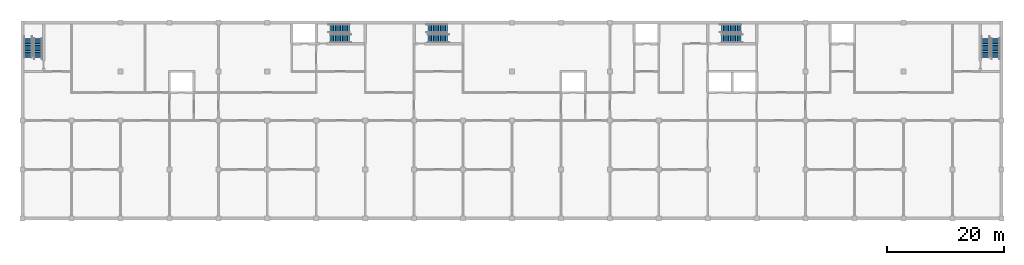
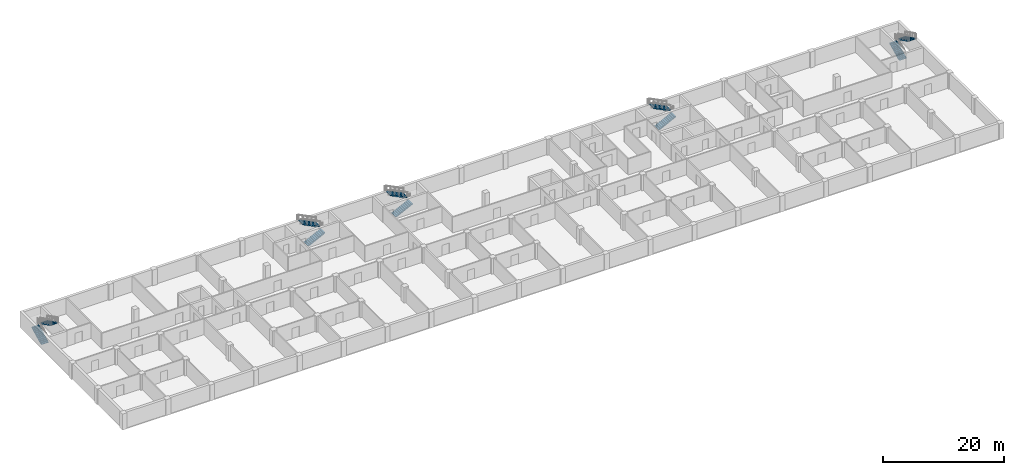
# One storey, part 7 of 12: 10 stair flights, 5 elements without a shape of their own.
"""IFC4 building model written with IfcOpenShell, lengths in metres."""

from ifc_helpers import new_model, si_unit, direction, frame, origin, place, context, subcontext, project, spatial, polyline, outline, extrude, material, type_object, element, aggregate, save


model = new_model("IFC4")

# Units and contexts
model_context = context("Model", 3, precision=1e-05, world=origin(), true_north=direction((0.0, 1.0)))
body_context = subcontext(model_context, "Body", "Model", "MODEL_VIEW")
ifc_project = project(units=[si_unit("LENGTHUNIT", "METRE"), si_unit("AREAUNIT", "SQUARE_METRE"), si_unit("VOLUMEUNIT", "CUBIC_METRE"), si_unit("PLANEANGLEUNIT", "RADIAN"), si_unit("MASSUNIT", "GRAM", prefix="KILO")], contexts=[model_context])

# Site, building, storey
site_placement = place(None, origin())
site = spatial("IfcSite", under=ifc_project, at=site_placement, CompositionType="ELEMENT")
building_placement = place(site_placement, origin())
building = spatial("IfcBuilding", under=site, at=building_placement, Name="Yavir Park General Hospital", CompositionType="ELEMENT")
storey_placement = place(building_placement, frame((0.0, 0.0, -11.39990234375)))
storey = spatial("IfcBuildingStorey", under=building, at=storey_placement, Name="B3", CompositionType="ELEMENT", Elevation=-11.39990234375)

# Stair, stair flights
ifc_material_1 = material(Name="Concrete C30/37", Category="concrete")
stair_type = type_object("IfcStairType", Name="Patient escape stair, 24 risers of 150 mm, 1400 mm flights", PredefinedType="HALF_TURN_STAIR", material=ifc_material_1)
stair_1_placement = place(storey_placement, origin())
stair_1 = element("IfcStair", 1, at=stair_1_placement, inside=storey, type_object=stair_type, Name="Stair BS1, B3 to B2", PredefinedType="HALF_TURN_STAIR")
ifc_material_2 = material(Name="Concrete C30/37", Category="concrete")
stair_flight_type = type_object("IfcStairFlightType", Name="Patient escape stair flight, 12 risers, 1400 mm wide", PredefinedType="STRAIGHT", material=ifc_material_2)
stair_flight_1_placement = place(storey_placement, frame((0.949951171875, 27.60009765625, 0.0), z_axis=(0.0, 0.0, 1.0), x_axis=(0.0, 1.0, 0.0)))
stair_flight_1 = element("IfcStairFlight", 2, at=stair_flight_1_placement, type_object=stair_flight_type, Name="BS1 flight 1", NumberOfRisers=12, NumberOfTreads=11, PredefinedType="STRAIGHT", RiserHeight=0.15, TreadLength=0.3, context=body_context, shape_type="SweptSolid", body=[
    extrude(outline(polyline([(0.0, 0.0), (0.0, 0.14990234375), (0.300048828125, 0.14990234375), (0.300048828125, 0.300048828125), (0.60009765625, 0.300048828125), (0.60009765625, 0.449951171875), (0.89990234375, 0.449951171875), (0.89990234375, 0.60009765625), (1.199951171875, 0.60009765625), (1.199951171875, 0.75), (1.5, 0.75), (1.5, 0.89990234375), (1.800048828125, 0.89990234375), (1.800048828125, 1.050048828125), (2.10009765625, 1.050048828125), (2.10009765625, 1.199951171875), (2.39990234375, 1.199951171875), (2.39990234375, 1.35009765625), (2.699951171875, 1.35009765625), (2.699951171875, 1.5), (3.0, 1.5), (3.0, 1.64990234375), (3.300048828125, 1.64990234375), (3.300048828125, 1.800048828125), (3.300048828125, 1.47119140625), (0.357666015625, 0.0), (0.0, 0.0)])), frame((0.0, 0.699951171875, 0.0), z_axis=(0.0, -1.0, 0.0), x_axis=(1.0, 0.0, 0.0)), (0.0, 0.0, 1.0), 1.39990234375),
])
stair_flight_2_placement = place(storey_placement, frame((2.64990234375, 30.89990234375, 1.7998046875), z_axis=(0.0, 0.0, 1.0), x_axis=(0.0, -1.0, 0.0)))
stair_flight_2 = element("IfcStairFlight", 3, at=stair_flight_2_placement, type_object=stair_flight_type, Name="BS1 flight 2", NumberOfRisers=12, NumberOfTreads=11, PredefinedType="STRAIGHT", RiserHeight=0.15, TreadLength=0.3, context=body_context, shape_type="SweptSolid", body=[
    extrude(outline(polyline([(0.0, 0.0), (0.0, 0.14990234375), (0.300048828125, 0.14990234375), (0.300048828125, 0.300048828125), (0.60009765625, 0.300048828125), (0.60009765625, 0.449951171875), (0.89990234375, 0.449951171875), (0.89990234375, 0.60009765625), (1.199951171875, 0.60009765625), (1.199951171875, 0.75), (1.5, 0.75), (1.5, 0.89990234375), (1.800048828125, 0.89990234375), (1.800048828125, 1.050048828125), (2.10009765625, 1.050048828125), (2.10009765625, 1.199951171875), (2.39990234375, 1.199951171875), (2.39990234375, 1.35009765625), (2.699951171875, 1.35009765625), (2.699951171875, 1.5), (3.0, 1.5), (3.0, 1.64990234375), (3.300048828125, 1.64990234375), (3.300048828125, 1.800048828125), (3.300048828125, 1.47119140625), (0.357666015625, 0.0), (0.0, 0.0)])), frame((0.0, 0.699951171875, 0.0), z_axis=(0.0, -1.0, 0.0), x_axis=(1.0, 0.0, 0.0)), (0.0, 0.0, 1.0), 1.39990234375),
])
aggregate(stair_1, [stair_flight_1, stair_flight_2])

stair_2_placement = place(storey_placement, origin())
stair_2 = element("IfcStair", 4, at=stair_2_placement, inside=storey, type_object=stair_type, Name="Stair BS2, B3 to B2", PredefinedType="HALF_TURN_STAIR")
stair_flight_3_placement = place(storey_placement, frame((52.800048828125, 30.89990234375, 0.0), z_axis=(0.0, 0.0, 1.0), x_axis=(1.0, 0.0, 0.0)))
stair_flight_3 = element("IfcStairFlight", 5, at=stair_flight_3_placement, type_object=stair_flight_type, Name="BS2 flight 1", NumberOfRisers=12, NumberOfTreads=11, PredefinedType="STRAIGHT", RiserHeight=0.15, TreadLength=0.3, context=body_context, shape_type="SweptSolid", body=[
    extrude(outline(polyline([(0.0, 0.0), (0.0, 0.14990234375), (0.300048828125, 0.14990234375), (0.300048828125, 0.300048828125), (0.60009765625, 0.300048828125), (0.60009765625, 0.449951171875), (0.89990234375, 0.449951171875), (0.89990234375, 0.60009765625), (1.199951171875, 0.60009765625), (1.199951171875, 0.75), (1.5, 0.75), (1.5, 0.89990234375), (1.800048828125, 0.89990234375), (1.800048828125, 1.050048828125), (2.10009765625, 1.050048828125), (2.10009765625, 1.199951171875), (2.39990234375, 1.199951171875), (2.39990234375, 1.35009765625), (2.699951171875, 1.35009765625), (2.699951171875, 1.5), (3.0, 1.5), (3.0, 1.64990234375), (3.300048828125, 1.64990234375), (3.300048828125, 1.800048828125), (3.300048828125, 1.47119140625), (0.357666015625, 0.0), (0.0, 0.0)])), frame((0.0, 0.699951171875, 0.0), z_axis=(0.0, -1.0, 0.0), x_axis=(1.0, 0.0, 0.0)), (0.0, 0.0, 1.0), 1.39990234375),
])
stair_flight_4_placement = place(storey_placement, frame((56.10009765625, 32.60009765625, 1.7998046875), z_axis=(0.0, 0.0, 1.0), x_axis=(-1.0, 0.0, 0.0)))
stair_flight_4 = element("IfcStairFlight", 6, at=stair_flight_4_placement, type_object=stair_flight_type, Name="BS2 flight 2", NumberOfRisers=12, NumberOfTreads=11, PredefinedType="STRAIGHT", RiserHeight=0.15, TreadLength=0.3, context=body_context, shape_type="SweptSolid", body=[
    extrude(outline(polyline([(0.0, 0.0), (0.0, 0.14990234375), (0.300048828125, 0.14990234375), (0.300048828125, 0.300048828125), (0.60009765625, 0.300048828125), (0.60009765625, 0.449951171875), (0.89990234375, 0.449951171875), (0.89990234375, 0.60009765625), (1.199951171875, 0.60009765625), (1.199951171875, 0.75), (1.5, 0.75), (1.5, 0.89990234375), (1.800048828125, 0.89990234375), (1.800048828125, 1.050048828125), (2.10009765625, 1.050048828125), (2.10009765625, 1.199951171875), (2.39990234375, 1.199951171875), (2.39990234375, 1.35009765625), (2.699951171875, 1.35009765625), (2.699951171875, 1.5), (3.0, 1.5), (3.0, 1.64990234375), (3.300048828125, 1.64990234375), (3.300048828125, 1.800048828125), (3.300048828125, 1.47119140625), (0.357666015625, 0.0), (0.0, 0.0)])), frame((0.0, 0.699951171875, 0.0), z_axis=(0.0, -1.0, 0.0), x_axis=(1.0, 0.0, 0.0)), (0.0, 0.0, 1.0), 1.39990234375),
])
aggregate(stair_2, [stair_flight_3, stair_flight_4])

stair_3_placement = place(storey_placement, origin())
stair_3 = element("IfcStair", 7, at=stair_3_placement, inside=storey, type_object=stair_type, Name="Stair BS3, B3 to B2", PredefinedType="HALF_TURN_STAIR")
stair_flight_5_placement = place(storey_placement, frame((69.60009765625, 30.89990234375, 0.0), z_axis=(0.0, 0.0, 1.0), x_axis=(1.0, 0.0, 0.0)))
stair_flight_5 = element("IfcStairFlight", 8, at=stair_flight_5_placement, type_object=stair_flight_type, Name="BS3 flight 1", NumberOfRisers=12, NumberOfTreads=11, PredefinedType="STRAIGHT", RiserHeight=0.15, TreadLength=0.3, context=body_context, shape_type="SweptSolid", body=[
    extrude(outline(polyline([(0.0, 0.0), (0.0, 0.14990234375), (0.300048828125, 0.14990234375), (0.300048828125, 0.300048828125), (0.60009765625, 0.300048828125), (0.60009765625, 0.449951171875), (0.89990234375, 0.449951171875), (0.89990234375, 0.60009765625), (1.199951171875, 0.60009765625), (1.199951171875, 0.75), (1.5, 0.75), (1.5, 0.89990234375), (1.800048828125, 0.89990234375), (1.800048828125, 1.050048828125), (2.10009765625, 1.050048828125), (2.10009765625, 1.199951171875), (2.39990234375, 1.199951171875), (2.39990234375, 1.35009765625), (2.699951171875, 1.35009765625), (2.699951171875, 1.5), (3.0, 1.5), (3.0, 1.64990234375), (3.300048828125, 1.64990234375), (3.300048828125, 1.800048828125), (3.300048828125, 1.47119140625), (0.357666015625, 0.0), (0.0, 0.0)])), frame((0.0, 0.699951171875, 0.0), z_axis=(0.0, -1.0, 0.0), x_axis=(1.0, 0.0, 0.0)), (0.0, 0.0, 1.0), 1.39990234375),
])
stair_flight_6_placement = place(storey_placement, frame((72.89990234375, 32.60009765625, 1.7998046875), z_axis=(0.0, 0.0, 1.0), x_axis=(-1.0, 0.0, 0.0)))
stair_flight_6 = element("IfcStairFlight", 9, at=stair_flight_6_placement, type_object=stair_flight_type, Name="BS3 flight 2", NumberOfRisers=12, NumberOfTreads=11, PredefinedType="STRAIGHT", RiserHeight=0.15, TreadLength=0.3, context=body_context, shape_type="SweptSolid", body=[
    extrude(outline(polyline([(0.0, 0.0), (0.0, 0.14990234375), (0.300048828125, 0.14990234375), (0.300048828125, 0.300048828125), (0.60009765625, 0.300048828125), (0.60009765625, 0.449951171875), (0.89990234375, 0.449951171875), (0.89990234375, 0.60009765625), (1.199951171875, 0.60009765625), (1.199951171875, 0.75), (1.5, 0.75), (1.5, 0.89990234375), (1.800048828125, 0.89990234375), (1.800048828125, 1.050048828125), (2.10009765625, 1.050048828125), (2.10009765625, 1.199951171875), (2.39990234375, 1.199951171875), (2.39990234375, 1.35009765625), (2.699951171875, 1.35009765625), (2.699951171875, 1.5), (3.0, 1.5), (3.0, 1.64990234375), (3.300048828125, 1.64990234375), (3.300048828125, 1.800048828125), (3.300048828125, 1.47119140625), (0.357666015625, 0.0), (0.0, 0.0)])), frame((0.0, 0.699951171875, 0.0), z_axis=(0.0, -1.0, 0.0), x_axis=(1.0, 0.0, 0.0)), (0.0, 0.0, 1.0), 1.39990234375),
])
aggregate(stair_3, [stair_flight_5, stair_flight_6])

stair_4_placement = place(storey_placement, origin())
stair_4 = element("IfcStair", 10, at=stair_4_placement, inside=storey, type_object=stair_type, Name="Stair BS4, B3 to B2", PredefinedType="HALF_TURN_STAIR")
stair_flight_7_placement = place(storey_placement, frame((120.0, 30.89990234375, 0.0), z_axis=(0.0, 0.0, 1.0), x_axis=(1.0, 0.0, 0.0)))
stair_flight_7 = element("IfcStairFlight", 11, at=stair_flight_7_placement, type_object=stair_flight_type, Name="BS4 flight 1", NumberOfRisers=12, NumberOfTreads=11, PredefinedType="STRAIGHT", RiserHeight=0.15, TreadLength=0.3, context=body_context, shape_type="SweptSolid", body=[
    extrude(outline(polyline([(0.0, 0.0), (0.0, 0.14990234375), (0.300048828125, 0.14990234375), (0.300048828125, 0.300048828125), (0.60009765625, 0.300048828125), (0.60009765625, 0.449951171875), (0.89990234375, 0.449951171875), (0.89990234375, 0.60009765625), (1.199951171875, 0.60009765625), (1.199951171875, 0.75), (1.5, 0.75), (1.5, 0.89990234375), (1.800048828125, 0.89990234375), (1.800048828125, 1.050048828125), (2.10009765625, 1.050048828125), (2.10009765625, 1.199951171875), (2.39990234375, 1.199951171875), (2.39990234375, 1.35009765625), (2.699951171875, 1.35009765625), (2.699951171875, 1.5), (3.0, 1.5), (3.0, 1.64990234375), (3.300048828125, 1.64990234375), (3.300048828125, 1.800048828125), (3.300048828125, 1.47119140625), (0.357666015625, 0.0), (0.0, 0.0)])), frame((0.0, 0.699951171875, 0.0), z_axis=(0.0, -1.0, 0.0), x_axis=(1.0, 0.0, 0.0)), (0.0, 0.0, 1.0), 1.39990234375),
])
stair_flight_8_placement = place(storey_placement, frame((123.300048828125, 32.60009765625, 1.7998046875), z_axis=(0.0, 0.0, 1.0), x_axis=(-1.0, 0.0, 0.0)))
stair_flight_8 = element("IfcStairFlight", 12, at=stair_flight_8_placement, type_object=stair_flight_type, Name="BS4 flight 2", NumberOfRisers=12, NumberOfTreads=11, PredefinedType="STRAIGHT", RiserHeight=0.15, TreadLength=0.3, context=body_context, shape_type="SweptSolid", body=[
    extrude(outline(polyline([(0.0, 0.0), (0.0, 0.14990234375), (0.300048828125, 0.14990234375), (0.300048828125, 0.300048828125), (0.60009765625, 0.300048828125), (0.60009765625, 0.449951171875), (0.89990234375, 0.449951171875), (0.89990234375, 0.60009765625), (1.199951171875, 0.60009765625), (1.199951171875, 0.75), (1.5, 0.75), (1.5, 0.89990234375), (1.800048828125, 0.89990234375), (1.800048828125, 1.050048828125), (2.10009765625, 1.050048828125), (2.10009765625, 1.199951171875), (2.39990234375, 1.199951171875), (2.39990234375, 1.35009765625), (2.699951171875, 1.35009765625), (2.699951171875, 1.5), (3.0, 1.5), (3.0, 1.64990234375), (3.300048828125, 1.64990234375), (3.300048828125, 1.800048828125), (3.300048828125, 1.47119140625), (0.357666015625, 0.0), (0.0, 0.0)])), frame((0.0, 0.699951171875, 0.0), z_axis=(0.0, -1.0, 0.0), x_axis=(1.0, 0.0, 0.0)), (0.0, 0.0, 1.0), 1.39990234375),
])
aggregate(stair_4, [stair_flight_7, stair_flight_8])

stair_5_placement = place(storey_placement, origin())
stair_5 = element("IfcStair", 13, at=stair_5_placement, inside=storey, type_object=stair_type, Name="Stair BS5, B3 to B2", PredefinedType="HALF_TURN_STAIR")
stair_flight_9_placement = place(storey_placement, frame((165.300048828125, 27.60009765625, 0.0), z_axis=(0.0, 0.0, 1.0), x_axis=(0.0, 1.0, 0.0)))
stair_flight_9 = element("IfcStairFlight", 14, at=stair_flight_9_placement, type_object=stair_flight_type, Name="BS5 flight 1", NumberOfRisers=12, NumberOfTreads=11, PredefinedType="STRAIGHT", RiserHeight=0.15, TreadLength=0.3, context=body_context, shape_type="SweptSolid", body=[
    extrude(outline(polyline([(0.0, 0.0), (0.0, 0.14990234375), (0.300048828125, 0.14990234375), (0.300048828125, 0.300048828125), (0.60009765625, 0.300048828125), (0.60009765625, 0.449951171875), (0.89990234375, 0.449951171875), (0.89990234375, 0.60009765625), (1.199951171875, 0.60009765625), (1.199951171875, 0.75), (1.5, 0.75), (1.5, 0.89990234375), (1.800048828125, 0.89990234375), (1.800048828125, 1.050048828125), (2.10009765625, 1.050048828125), (2.10009765625, 1.199951171875), (2.39990234375, 1.199951171875), (2.39990234375, 1.35009765625), (2.699951171875, 1.35009765625), (2.699951171875, 1.5), (3.0, 1.5), (3.0, 1.64990234375), (3.300048828125, 1.64990234375), (3.300048828125, 1.800048828125), (3.300048828125, 1.47119140625), (0.357666015625, 0.0), (0.0, 0.0)])), frame((0.0, 0.699951171875, 0.0), z_axis=(0.0, -1.0, 0.0), x_axis=(1.0, 0.0, 0.0)), (0.0, 0.0, 1.0), 1.39990234375),
])
stair_flight_10_placement = place(storey_placement, frame((167.0, 30.89990234375, 1.7998046875), z_axis=(0.0, 0.0, 1.0), x_axis=(0.0, -1.0, 0.0)))
stair_flight_10 = element("IfcStairFlight", 15, at=stair_flight_10_placement, type_object=stair_flight_type, Name="BS5 flight 2", NumberOfRisers=12, NumberOfTreads=11, PredefinedType="STRAIGHT", RiserHeight=0.15, TreadLength=0.3, context=body_context, shape_type="SweptSolid", body=[
    extrude(outline(polyline([(0.0, 0.0), (0.0, 0.14990234375), (0.300048828125, 0.14990234375), (0.300048828125, 0.300048828125), (0.60009765625, 0.300048828125), (0.60009765625, 0.449951171875), (0.89990234375, 0.449951171875), (0.89990234375, 0.60009765625), (1.199951171875, 0.60009765625), (1.199951171875, 0.75), (1.5, 0.75), (1.5, 0.89990234375), (1.800048828125, 0.89990234375), (1.800048828125, 1.050048828125), (2.10009765625, 1.050048828125), (2.10009765625, 1.199951171875), (2.39990234375, 1.199951171875), (2.39990234375, 1.35009765625), (2.699951171875, 1.35009765625), (2.699951171875, 1.5), (3.0, 1.5), (3.0, 1.64990234375), (3.300048828125, 1.64990234375), (3.300048828125, 1.800048828125), (3.300048828125, 1.47119140625), (0.357666015625, 0.0), (0.0, 0.0)])), frame((0.0, 0.699951171875, 0.0), z_axis=(0.0, -1.0, 0.0), x_axis=(1.0, 0.0, 0.0)), (0.0, 0.0, 1.0), 1.39990234375),
])
aggregate(stair_5, [stair_flight_9, stair_flight_10])

save(model, "model.ifc")
